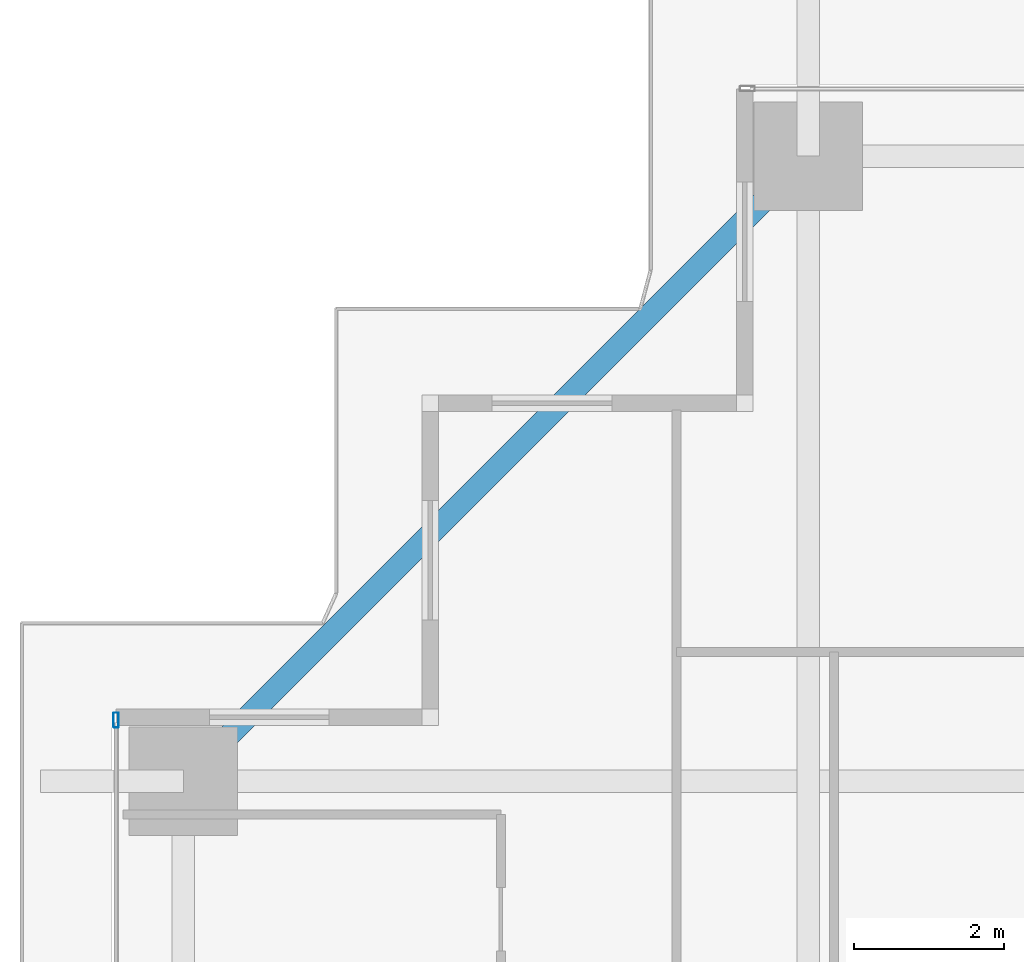
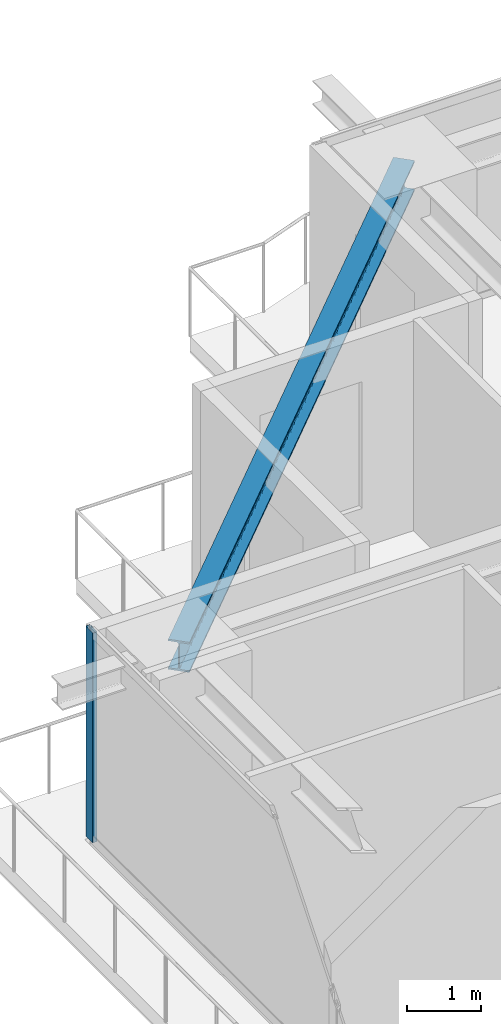
# One storey, part 18 of 37: 1 beam, 1 member, 1 element without a shape of its own.
"""IFC4 building model written with IfcOpenShell, lengths in metres."""

from ifc_helpers import new_model, si_unit, direction, frame, origin, origin_2d, place, context, subcontext, project, spatial, hollow_rectangle, i_section, extrude, source, transform, mapped, material, layer, layer_set, material_profile, profile_set, type_object, element, aggregate, save


model = new_model("IFC4")

# Units and contexts
model_context = context("Model", 3, precision=1e-05, world=origin(), true_north=direction((0.0, 1.0)))
body_context = subcontext(model_context, "Body", "Model", "MODEL_VIEW")
ifc_project = project(units=[si_unit("LENGTHUNIT", "METRE"), si_unit("AREAUNIT", "SQUARE_METRE"), si_unit("VOLUMEUNIT", "CUBIC_METRE"), si_unit("PLANEANGLEUNIT", "RADIAN"), si_unit("MASSUNIT", "GRAM", prefix="KILO")], contexts=[model_context])

# Site, building, storey
site_placement = place(None, origin())
site = spatial("IfcSite", under=ifc_project, at=site_placement, CompositionType="ELEMENT")
building_placement = place(site_placement, origin())
building = spatial("IfcBuilding", under=site, at=building_placement, Name="Serunith Strait Residences", CompositionType="ELEMENT")
storey_placement = place(building_placement, frame((0.0, 0.0, 26.699951171875)))
storey = spatial("IfcBuildingStorey", under=building, at=storey_placement, Name="L05", CompositionType="ELEMENT", Elevation=26.699951171875)

# Beam
ifc_material_1 = material(Name="Steel S355J2", Category="steel")
ifc_material_profile_1 = material_profile(ifc_material_1, i_section(OverallWidth=0.300048828125, OverallDepth=0.5, WebThickness=0.014404296875, FlangeThickness=0.028076171875, FilletRadius=0.027099609375, at=origin_2d()), Name="HEB 500")
ifc_profile_set_1 = profile_set([ifc_material_profile_1], Name="Steel S355J2")
beam_type = type_object("IfcBeamType", Name="BM-HEB500", PredefinedType="BEAM", material=ifc_profile_set_1)
shared_shape_1 = source(origin(), body_context, "Body", "SweptSolid", [
    extrude(i_section(OverallWidth=0.300048828125, OverallDepth=0.5, WebThickness=0.014404296875, FlangeThickness=0.028076171875, FilletRadius=0.027099609375, at=origin_2d()), origin(), (0.0, 0.0, 1.0), 11.808837890625),
])
beam_placement = place(storey_placement, frame((15.25, 49.300048828125, 3.20703125), z_axis=(-0.707106781187, -0.707106781187, 0.0), x_axis=(0.707106781187, -0.707106781187, 0.0)))
element("IfcBeam", 1, at=beam_placement, inside=storey, type_object=beam_type, Name="L05 Perimeter Ring Beam 12", PredefinedType="BEAM", context=body_context, shape_type="MappedRepresentation", body=[
    mapped(shared_shape_1, transform((0.0, 0.0, 0.0), scale=1.0)),
])

# Curtain wall, member
ifc_material_2 = material(Name="Pale-Champagne Anodised Aluminium", Category="aluminium")
ifc_layer = layer(ifc_material_2, 0.199951171875, Name="Pale-Champagne Anodised Aluminium")
ifc_layer_set = layer_set([ifc_layer], Name="Pale-Champagne Anodised Aluminium")
curtain_wall_type = type_object("IfcCurtainWallType", Name="CW-SYS1", PredefinedType="NOTDEFINED", material=ifc_layer_set)
curtain_wall_placement = place(storey_placement, origin())
curtain_wall = element("IfcCurtainWall", 2, at=curtain_wall_placement, inside=storey, type_object=curtain_wall_type, Name="L05 W Unitised Fritted Curtain Wall", PredefinedType="NOTDEFINED")
ifc_material_profile_2 = material_profile(ifc_material_2, hollow_rectangle(XDim=0.070068359375, YDim=0.199951171875, WallThickness=0.00390625, InnerFilletRadius=0.006103515625, OuterFilletRadius=0.010009765625, at=origin_2d()), Name="ALU 200x70x4")
ifc_profile_set_2 = profile_set([ifc_material_profile_2], Name="Pale-Champagne Anodised Aluminium")
member_type = type_object("IfcMemberType", Name="CW-SYS1-MULL", PredefinedType="MULLION", material=ifc_profile_set_2)
shared_shape_2 = source(origin(), body_context, "Body", "SweptSolid", [
    extrude(hollow_rectangle(XDim=0.070068359375, YDim=0.199951171875, WallThickness=0.00390625, InnerFilletRadius=0.006103515625, OuterFilletRadius=0.010009765625, at=origin_2d()), origin(), (0.0, 0.0, 1.0), 3.47509765625),
])
member_placement = place(storey_placement, frame((6.0, 41.764892578125, 0.0), z_axis=(0.0, 0.0, 1.0), x_axis=(1.0, 0.0, 0.0)))
member = element("IfcMember", 3, at=member_placement, type_object=member_type, Name="CW-1 mullion 1", PredefinedType="MULLION", context=body_context, shape_type="MappedRepresentation", body=[
    mapped(shared_shape_2, transform((0.0, 0.0, 0.0), scale=1.0)),
])
aggregate(curtain_wall, [member])

save(model, "model.ifc")
